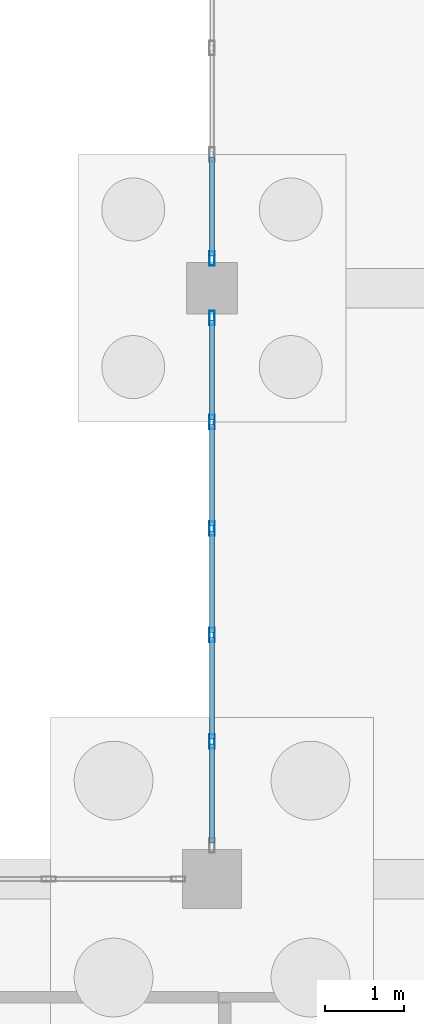
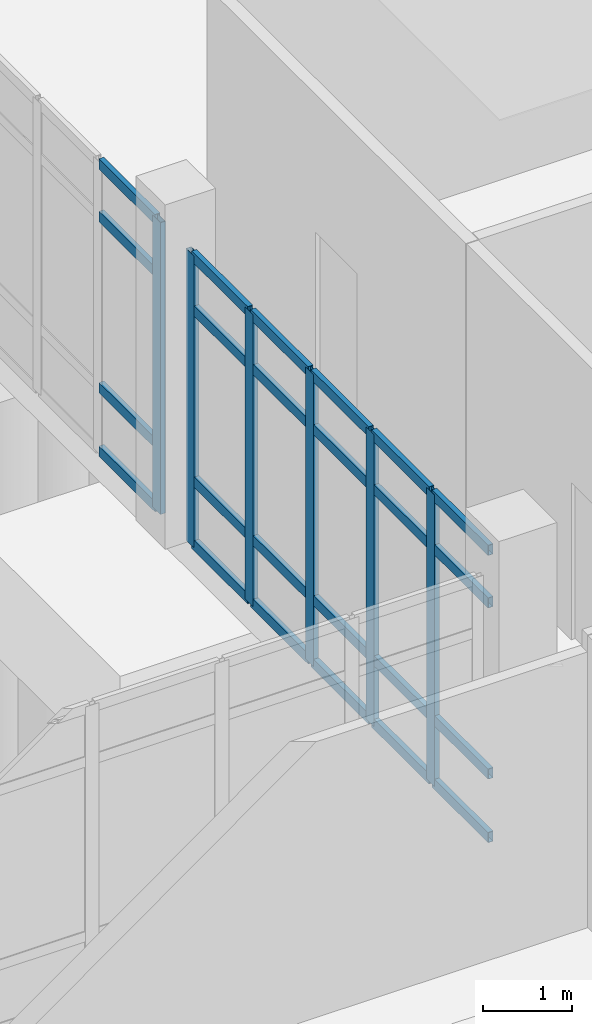
# One storey, part 30 of 173: 30 members, 2 elements without a shape of their own.
"""IFC4 building model written with IfcOpenShell, lengths in metres."""

import ifcopenshell
import ifcopenshell.guid

model = None  # the IFC model being written
_history = None  # IfcOwnerHistory: only IFC2X3 demands one
_inside = {}  # id of a spatial element -> (the spatial element, [elements in it])
_under = {}  # id of a project, library or spatial element -> (it, [spatial elements below it])
_declared = {}  # id of a project -> (the project, [libraries it declares])
_typed = {}  # id of a type object -> (the type object, [elements of that type])
_made_of = {}  # id of a material, layer set ... -> (it, [elements and type objects made of it])


def new_model(schema):
    """Start an empty IFC model of exactly this schema.

    Asked for "IFC4X3", IfcOpenShell would pick the latest addendum, in which some entities
    have other attributes; the version numbers below select the first issue.
    IFC2X3 requires an IfcOwnerHistory on every rooted entity: one is made here for all.
    """
    global model, _history
    if schema == "IFC4X3":
        model = ifcopenshell.file(schema_version=(4, 3, 0, 0))
    else:
        model = ifcopenshell.file(schema=schema)
    _inside.clear()
    _under.clear()
    _declared.clear()
    _typed.clear()
    _made_of.clear()
    _history = None
    if model.schema == "IFC2X3":
        org = make("IfcOrganization", Name="unknown")
        user = make(
            "IfcPersonAndOrganization",
            ThePerson=make("IfcPerson", FamilyName="unknown"),
            TheOrganization=org,
        )
        app = make(
            "IfcApplication",
            ApplicationDeveloper=org,
            Version="unknown",
            ApplicationFullName="unknown",
            ApplicationIdentifier="unknown",
        )
        _history = make(
            "IfcOwnerHistory",
            OwningUser=user,
            OwningApplication=app,
            ChangeAction="ADDED",
            CreationDate=0,
        )
    return model


def make(cls, **values):
    """One entity of the class cls with the attributes given. An attribute that is None is left unset."""
    return model.create_entity(
        cls, **{name: value for name, value in values.items() if value is not None}
    )


def rooted(cls, **values):
    """An entity with a GlobalId (a new one), such as an element, a storey or a relation."""
    return make(cls, GlobalId=ifcopenshell.guid.new(), OwnerHistory=_history, **values)


def si_unit(unit_type, name, prefix=None):
    """IfcSIUnit, for example si_unit("LENGTHUNIT", "METRE", prefix="MILLI")."""
    return make("IfcSIUnit", UnitType=unit_type, Prefix=prefix, Name=name)


def assignment(units):
    """IfcUnitAssignment: the units of a project."""
    return None if units is None else make("IfcUnitAssignment", Units=units)


def point(xyz):
    """IfcCartesianPoint."""
    return None if xyz is None else make("IfcCartesianPoint", Coordinates=xyz)


def direction(xyz):
    """IfcDirection."""
    return None if xyz is None else make("IfcDirection", DirectionRatios=xyz)


def frame(location, z_axis=None, x_axis=None):
    """IfcAxis2Placement3D, a coordinate frame: its origin and axes. An axis left out is left unset."""
    return make(
        "IfcAxis2Placement3D",
        Location=point(location),
        Axis=direction(z_axis),
        RefDirection=direction(x_axis),
    )


def frame_2d(location, x_axis=None):
    """IfcAxis2Placement2D, a coordinate frame in the plane: its origin and x axis."""
    return make(
        "IfcAxis2Placement2D", Location=point(location), RefDirection=direction(x_axis)
    )


def origin():
    """The frame at (0, 0, 0) with its axes left unset."""
    return frame((0.0, 0.0, 0.0))


def origin_2d():
    """The frame at (0, 0) in the plane with its x axis left unset."""
    return frame_2d((0.0, 0.0))


def place(relative_to, where):
    """IfcLocalPlacement: puts the frame where relative to a parent placement (None: the world)."""
    return make(
        "IfcLocalPlacement", PlacementRelTo=relative_to, RelativePlacement=where
    )


def context(
    kind, dimensions, precision=None, world=None, true_north=None, identifier=None
):
    """IfcGeometricRepresentationContext, for example the 3D "Model" context."""
    return make(
        "IfcGeometricRepresentationContext",
        ContextIdentifier=identifier,
        ContextType=kind,
        CoordinateSpaceDimension=dimensions,
        Precision=precision,
        WorldCoordinateSystem=world,
        TrueNorth=true_north,
    )


def subcontext(parent, identifier, kind, view, scale=None):
    """IfcGeometricRepresentationSubContext, for example "Body" below "Model"."""
    return make(
        "IfcGeometricRepresentationSubContext",
        ContextIdentifier=identifier,
        ContextType=kind,
        ParentContext=parent,
        TargetScale=scale,
        TargetView=view,
    )


def project(units=None, contexts=None):
    """IfcProject with its units and contexts."""
    return rooted(
        "IfcProject",
        Name="project",
        RepresentationContexts=contexts,
        UnitsInContext=assignment(units),
    )


def spatial(cls, under=None, at=None, **own):
    """A site, building, storey or space (cls), placed at a placement, below another one or the project."""
    s = rooted(cls, ObjectPlacement=at, **own)
    if under is not None:
        _under.setdefault(under.id(), (under, []))[1].append(s)
    return s


def profile(cls, at=None, kind="AREA", **sizes):
    """A parametric profile (cls). Its sizes go by their IFC names, for example OverallWidth=200.0."""
    return make(cls, ProfileType=kind, Position=at, **sizes)


def hollow_rectangle(**sizes):
    """IfcRectangleHollowProfileDef."""
    return profile("IfcRectangleHollowProfileDef", **sizes)


def extrude(swept, where, along, depth):
    """IfcExtrudedAreaSolid: the profile swept, set in the frame where, extruded along a direction by depth."""
    return make(
        "IfcExtrudedAreaSolid",
        SweptArea=swept,
        Position=where,
        ExtrudedDirection=direction(along),
        Depth=depth,
    )


def shape(context_of_items, identifier, shape_type, items):
    """IfcShapeRepresentation: the items that make up one representation, for example the "Body"."""
    return make(
        "IfcShapeRepresentation",
        ContextOfItems=context_of_items,
        RepresentationIdentifier=identifier,
        RepresentationType=shape_type,
        Items=items,
    )


def material(Name=None, Category=None):
    """IfcMaterial."""
    return make("IfcMaterial", Name=Name, Category=Category)


def layer(
    of_material, thickness, ventilated=None, Name=None, Category=None, Priority=None
):
    """IfcMaterialLayer: one layer of a wall or slab, of a material (None: an air gap)."""
    return make(
        "IfcMaterialLayer",
        Material=of_material,
        LayerThickness=thickness,
        IsVentilated=ventilated,
        Name=Name,
        Category=Category,
        Priority=Priority,
    )


def layer_set(layers, Name=None):
    """IfcMaterialLayerSet."""
    return make("IfcMaterialLayerSet", MaterialLayers=layers, LayerSetName=Name)


def material_profile(
    of_material, cross_section, Name=None, Category=None, Priority=None
):
    """IfcMaterialProfile: a cross section and its material."""
    return make(
        "IfcMaterialProfile",
        Name=Name,
        Material=of_material,
        Profile=cross_section,
        Priority=Priority,
        Category=Category,
    )


def profile_set(profiles, Name=None, composite=None):
    """IfcMaterialProfileSet."""
    return make(
        "IfcMaterialProfileSet",
        Name=Name,
        MaterialProfiles=profiles,
        CompositeProfile=composite,
    )


def made_of(thing, what):
    """Note that an element or type object is made of a material, layer set ...; save() writes the relation."""
    if what is not None:
        _made_of.setdefault(what.id(), (what, []))[1].append(thing)
    return thing


def type_object(cls, material=None, **own):
    """A type object (cls), such as IfcWallType, which elements share."""
    return made_of(rooted(cls, **own), material)


def element(
    cls,
    number,
    at=None,
    inside=None,
    cuts=None,
    type_object=None,
    material=None,
    context=None,
    identifier="Body",
    shape_type=None,
    held_by="IfcProductDefinitionShape",
    body=None,
    shapes=None,
    **own,
):
    """One element of the class cls, such as IfcWall. Its Tag is "e" and its number.

    at: its placement. inside: the storey or other place that contains it. cuts: it is an
    opening in that element (IfcRelVoidsElement). A single representation is given by context,
    identifier, shape_type and body (its items); several are given by shapes. held_by: the class
    of the entity that holds the representations. save() writes the other relations.
    """
    e = rooted(cls, Tag="e%d" % number, ObjectPlacement=at, **own)
    if body is not None:
        shapes = [shape(context, identifier, shape_type, body)]
    if shapes is not None:
        e.Representation = make(held_by, Representations=shapes)
    if inside is not None:
        _inside.setdefault(inside.id(), (inside, []))[1].append(e)
    if cuts is not None:
        rooted(
            "IfcRelVoidsElement", RelatingBuildingElement=cuts, RelatedOpeningElement=e
        )
    if type_object is not None:
        _typed.setdefault(type_object.id(), (type_object, []))[1].append(e)
    return made_of(e, material)


def aggregate(whole, parts):
    """IfcRelAggregates: a whole, such as a stair, and the parts it consists of."""
    return rooted("IfcRelAggregates", RelatingObject=whole, RelatedObjects=parts)


def save(model, path):
    """Write the relations noted so far, then the file.

    IfcRelAggregates (storeys below a building ...), IfcRelContainedInSpatialStructure (elements
    in a storey), IfcRelDefinesByType, IfcRelAssociatesMaterial and IfcRelDeclares: one each for
    every whole, place, type object, material and project.
    """
    for whole, parts in _under.values():
        aggregate(whole, parts)
    for where, things in _inside.values():
        rooted(
            "IfcRelContainedInSpatialStructure",
            RelatedElements=things,
            RelatingStructure=where,
        )
    for kind, things in _typed.values():
        rooted("IfcRelDefinesByType", RelatedObjects=things, RelatingType=kind)
    for what, things in _made_of.values():
        rooted("IfcRelAssociatesMaterial", RelatedObjects=things, RelatingMaterial=what)
    for by, libraries in _declared.values():
        rooted("IfcRelDeclares", RelatingContext=by, RelatedDefinitions=libraries)
    model.write(path)


model = new_model("IFC4")

# Units and contexts
model_context = context("Model", 3, precision=1e-05, world=origin(), true_north=direction((0.0, 1.0)))
body_context = subcontext(model_context, "Body", "Model", "MODEL_VIEW")
ifc_project = project(units=[si_unit("LENGTHUNIT", "METRE"), si_unit("AREAUNIT", "SQUARE_METRE"), si_unit("VOLUMEUNIT", "CUBIC_METRE"), si_unit("PLANEANGLEUNIT", "RADIAN"), si_unit("MASSUNIT", "GRAM", prefix="KILO")], contexts=[model_context])

# Site, building, storey
site_placement = place(None, origin())
site = spatial("IfcSite", under=ifc_project, at=site_placement, CompositionType="ELEMENT")
building_placement = place(site_placement, origin())
building = spatial("IfcBuilding", under=site, at=building_placement, Name="Mawjan Specialist Oncology Clinic", CompositionType="ELEMENT")
storey_placement = place(building_placement, origin())
storey = spatial("IfcBuildingStorey", under=building, at=storey_placement, Name="L00", CompositionType="ELEMENT", Elevation=0.0)

# Curtain wall, members
ifc_material_1 = material(Name="Unitised spectrally selective aluminium curtain wall", Category="aluminium")
ifc_layer = layer(ifc_material_1, 0.179931640625, Name="Unitised spectrally selective aluminium curtain wall", Category="aluminium")
ifc_layer_set = layer_set([ifc_layer], Name="Unitised spectrally selective aluminium curtain wall")
curtain_wall_type = type_object("IfcCurtainWallType", Name="CW-28", PredefinedType="NOTDEFINED", material=ifc_layer_set)
curtain_wall_1_placement = place(storey_placement, origin())
curtain_wall_1 = element("IfcCurtainWall", 1, at=curtain_wall_1_placement, inside=storey, type_object=curtain_wall_type, Name="L00 Unitised Curtain Wall CW-L00-050", PredefinedType="NOTDEFINED")
ifc_material_2 = material(Name="Thermally broken aluminium 6063-T6", Category="aluminium")
ifc_material_profile_1 = material_profile(ifc_material_2, hollow_rectangle(XDim=0.06494140625, YDim=0.179931640625, WallThickness=0.00390625, at=origin_2d()), Name="ALU MULLION 180x65x4", Category="aluminium")
ifc_profile_set_1 = profile_set([ifc_material_profile_1], Name="Thermally broken aluminium 6063-T6")
member_type_1 = type_object("IfcMemberType", Name="CW-M180", PredefinedType="MULLION", material=ifc_profile_set_1)
member_1_placement = place(storey_placement, frame((30.0, 17.547119140625, 0.0), z_axis=(0.0, 0.0, 1.0), x_axis=(-1.0, 0.0, 0.0)))
member_1 = element("IfcMember", 2, at=member_1_placement, type_object=member_type_1, Name="CW-28 mullion 2", PredefinedType="MULLION", context=body_context, shape_type="SweptSolid", body=[
    extrude(hollow_rectangle(XDim=0.06494140625, YDim=0.179931640625, WallThickness=0.00390625, at=origin_2d()), origin(), (0.0, 0.0, 1.0), 3.985107421875),
])
member_2_placement = place(storey_placement, frame((30.0, 18.89892578125, 0.0), z_axis=(0.0, 0.0, 1.0), x_axis=(-1.0, 0.0, 0.0)))
member_2 = element("IfcMember", 3, at=member_2_placement, type_object=member_type_1, Name="CW-28 mullion 3", PredefinedType="MULLION", context=body_context, shape_type="SweptSolid", body=[
    extrude(hollow_rectangle(XDim=0.06494140625, YDim=0.179931640625, WallThickness=0.00390625, at=origin_2d()), origin(), (0.0, 0.0, 1.0), 3.985107421875),
])
member_3_placement = place(storey_placement, frame((30.0, 20.2509765625, 0.0), z_axis=(0.0, 0.0, 1.0), x_axis=(-1.0, 0.0, 0.0)))
member_3 = element("IfcMember", 4, at=member_3_placement, type_object=member_type_1, Name="CW-28 mullion 4", PredefinedType="MULLION", context=body_context, shape_type="SweptSolid", body=[
    extrude(hollow_rectangle(XDim=0.06494140625, YDim=0.179931640625, WallThickness=0.00390625, at=origin_2d()), origin(), (0.0, 0.0, 1.0), 3.985107421875),
])
member_4_placement = place(storey_placement, frame((30.0, 21.60302734375, 0.0), z_axis=(0.0, 0.0, 1.0), x_axis=(-1.0, 0.0, 0.0)))
member_4 = element("IfcMember", 5, at=member_4_placement, type_object=member_type_1, Name="CW-28 mullion 5", PredefinedType="MULLION", context=body_context, shape_type="SweptSolid", body=[
    extrude(hollow_rectangle(XDim=0.06494140625, YDim=0.179931640625, WallThickness=0.00390625, at=origin_2d()), origin(), (0.0, 0.0, 1.0), 3.985107421875),
])
member_5_placement = place(storey_placement, frame((30.0, 22.922607421875, 0.0), z_axis=(0.0, 0.0, 1.0), x_axis=(-1.0, 0.0, 0.0)))
member_5 = element("IfcMember", 6, at=member_5_placement, type_object=member_type_1, Name="CW-28 mullion 6", PredefinedType="MULLION", context=body_context, shape_type="SweptSolid", body=[
    extrude(hollow_rectangle(XDim=0.06494140625, YDim=0.179931640625, WallThickness=0.00390625, at=origin_2d()), origin(), (0.0, 0.0, 1.0), 3.985107421875),
])

# Curtain wall, member
curtain_wall_2_placement = place(storey_placement, origin())
curtain_wall_2 = element("IfcCurtainWall", 7, at=curtain_wall_2_placement, inside=storey, type_object=curtain_wall_type, Name="L00 Unitised Curtain Wall CW-L00-051", PredefinedType="NOTDEFINED")
member_6_placement = place(storey_placement, frame((30.0, 23.677490234375, 0.0), z_axis=(0.0, 0.0, 1.0), x_axis=(-1.0, 0.0, 0.0)))
member_6 = element("IfcMember", 8, at=member_6_placement, type_object=member_type_1, Name="CW-28 mullion 1", PredefinedType="MULLION", context=body_context, shape_type="SweptSolid", body=[
    extrude(hollow_rectangle(XDim=0.06494140625, YDim=0.179931640625, WallThickness=0.00390625, at=origin_2d()), origin(), (0.0, 0.0, 1.0), 3.985107421875),
])

# Member
ifc_material_3 = material(Name="Thermally broken aluminium 6063-T6", Category="aluminium")
ifc_material_profile_2 = material_profile(ifc_material_3, hollow_rectangle(XDim=0.06494140625, YDim=0.139892578125, WallThickness=0.00390625, at=origin_2d()), Name="ALU TRANSOM 140x65x4", Category="aluminium")
ifc_profile_set_2 = profile_set([ifc_material_profile_2], Name="Thermally broken aluminium 6063-T6")
member_type_2 = type_object("IfcMemberType", Name="CW-T140", PredefinedType="USERDEFINED", material=ifc_profile_set_2)
member_7_placement = place(storey_placement, frame((30.0, 16.260009765625, 0.032470703125), z_axis=(0.0, 1.0, 0.0), x_axis=(-1.0, 0.0, 0.0)))
member_7 = element("IfcMember", 9, at=member_7_placement, type_object=member_type_2, Name="CW-28 transom 1.1", ObjectType="TRANSOM", PredefinedType="USERDEFINED", context=body_context, shape_type="SweptSolid", body=[
    extrude(hollow_rectangle(XDim=0.06494140625, YDim=0.139892578125, WallThickness=0.00390625, at=origin_2d()), origin(), (0.0, 0.0, 1.0), 1.25439453125),
])

member_8_placement = place(storey_placement, frame((30.0, 16.260009765625, 0.89990234375), z_axis=(0.0, 1.0, 0.0), x_axis=(-1.0, 0.0, 0.0)))
member_8 = element("IfcMember", 10, at=member_8_placement, type_object=member_type_2, Name="CW-28 transom 1.2", ObjectType="TRANSOM", PredefinedType="USERDEFINED", context=body_context, shape_type="SweptSolid", body=[
    extrude(hollow_rectangle(XDim=0.06494140625, YDim=0.139892578125, WallThickness=0.00390625, at=origin_2d()), origin(), (0.0, 0.0, 1.0), 1.25439453125),
])

member_9_placement = place(storey_placement, frame((30.0, 16.260009765625, 3.235107421875), z_axis=(0.0, 1.0, 0.0), x_axis=(-1.0, 0.0, 0.0)))
member_9 = element("IfcMember", 11, at=member_9_placement, type_object=member_type_2, Name="CW-28 transom 1.3", ObjectType="TRANSOM", PredefinedType="USERDEFINED", context=body_context, shape_type="SweptSolid", body=[
    extrude(hollow_rectangle(XDim=0.06494140625, YDim=0.139892578125, WallThickness=0.00390625, at=origin_2d()), origin(), (0.0, 0.0, 1.0), 1.25439453125),
])

member_10_placement = place(storey_placement, frame((30.0, 16.260009765625, 3.952392578125), z_axis=(0.0, 1.0, 0.0), x_axis=(-1.0, 0.0, 0.0)))
member_10 = element("IfcMember", 12, at=member_10_placement, type_object=member_type_2, Name="CW-28 transom 1.4", ObjectType="TRANSOM", PredefinedType="USERDEFINED", context=body_context, shape_type="SweptSolid", body=[
    extrude(hollow_rectangle(XDim=0.06494140625, YDim=0.139892578125, WallThickness=0.00390625, at=origin_2d()), origin(), (0.0, 0.0, 1.0), 1.25439453125),
])

member_11_placement = place(storey_placement, frame((30.0, 17.57958984375, 0.032470703125), z_axis=(0.0, 1.0, 0.0), x_axis=(-1.0, 0.0, 0.0)))
member_11 = element("IfcMember", 13, at=member_11_placement, type_object=member_type_2, Name="CW-28 transom 2.1", ObjectType="TRANSOM", PredefinedType="USERDEFINED", context=body_context, shape_type="SweptSolid", body=[
    extrude(hollow_rectangle(XDim=0.06494140625, YDim=0.139892578125, WallThickness=0.00390625, at=origin_2d()), origin(), (0.0, 0.0, 1.0), 1.286865234375),
])

member_12_placement = place(storey_placement, frame((30.0, 17.57958984375, 0.89990234375), z_axis=(0.0, 1.0, 0.0), x_axis=(-1.0, 0.0, 0.0)))
member_12 = element("IfcMember", 14, at=member_12_placement, type_object=member_type_2, Name="CW-28 transom 2.2", ObjectType="TRANSOM", PredefinedType="USERDEFINED", context=body_context, shape_type="SweptSolid", body=[
    extrude(hollow_rectangle(XDim=0.06494140625, YDim=0.139892578125, WallThickness=0.00390625, at=origin_2d()), origin(), (0.0, 0.0, 1.0), 1.286865234375),
])

member_13_placement = place(storey_placement, frame((30.0, 17.57958984375, 3.235107421875), z_axis=(0.0, 1.0, 0.0), x_axis=(-1.0, 0.0, 0.0)))
member_13 = element("IfcMember", 15, at=member_13_placement, type_object=member_type_2, Name="CW-28 transom 2.3", ObjectType="TRANSOM", PredefinedType="USERDEFINED", context=body_context, shape_type="SweptSolid", body=[
    extrude(hollow_rectangle(XDim=0.06494140625, YDim=0.139892578125, WallThickness=0.00390625, at=origin_2d()), origin(), (0.0, 0.0, 1.0), 1.286865234375),
])

member_14_placement = place(storey_placement, frame((30.0, 17.57958984375, 3.952392578125), z_axis=(0.0, 1.0, 0.0), x_axis=(-1.0, 0.0, 0.0)))
member_14 = element("IfcMember", 16, at=member_14_placement, type_object=member_type_2, Name="CW-28 transom 2.4", ObjectType="TRANSOM", PredefinedType="USERDEFINED", context=body_context, shape_type="SweptSolid", body=[
    extrude(hollow_rectangle(XDim=0.06494140625, YDim=0.139892578125, WallThickness=0.00390625, at=origin_2d()), origin(), (0.0, 0.0, 1.0), 1.286865234375),
])

member_15_placement = place(storey_placement, frame((30.0, 18.931396484375, 0.032470703125), z_axis=(0.0, 1.0, 0.0), x_axis=(-1.0, 0.0, 0.0)))
member_15 = element("IfcMember", 17, at=member_15_placement, type_object=member_type_2, Name="CW-28 transom 3.1", ObjectType="TRANSOM", PredefinedType="USERDEFINED", context=body_context, shape_type="SweptSolid", body=[
    extrude(hollow_rectangle(XDim=0.06494140625, YDim=0.139892578125, WallThickness=0.00390625, at=origin_2d()), origin(), (0.0, 0.0, 1.0), 1.287109375),
])

member_16_placement = place(storey_placement, frame((30.0, 18.931396484375, 0.89990234375), z_axis=(0.0, 1.0, 0.0), x_axis=(-1.0, 0.0, 0.0)))
member_16 = element("IfcMember", 18, at=member_16_placement, type_object=member_type_2, Name="CW-28 transom 3.2", ObjectType="TRANSOM", PredefinedType="USERDEFINED", context=body_context, shape_type="SweptSolid", body=[
    extrude(hollow_rectangle(XDim=0.06494140625, YDim=0.139892578125, WallThickness=0.00390625, at=origin_2d()), origin(), (0.0, 0.0, 1.0), 1.287109375),
])

member_17_placement = place(storey_placement, frame((30.0, 18.931396484375, 3.235107421875), z_axis=(0.0, 1.0, 0.0), x_axis=(-1.0, 0.0, 0.0)))
member_17 = element("IfcMember", 19, at=member_17_placement, type_object=member_type_2, Name="CW-28 transom 3.3", ObjectType="TRANSOM", PredefinedType="USERDEFINED", context=body_context, shape_type="SweptSolid", body=[
    extrude(hollow_rectangle(XDim=0.06494140625, YDim=0.139892578125, WallThickness=0.00390625, at=origin_2d()), origin(), (0.0, 0.0, 1.0), 1.287109375),
])

member_18_placement = place(storey_placement, frame((30.0, 18.931396484375, 3.952392578125), z_axis=(0.0, 1.0, 0.0), x_axis=(-1.0, 0.0, 0.0)))
member_18 = element("IfcMember", 20, at=member_18_placement, type_object=member_type_2, Name="CW-28 transom 3.4", ObjectType="TRANSOM", PredefinedType="USERDEFINED", context=body_context, shape_type="SweptSolid", body=[
    extrude(hollow_rectangle(XDim=0.06494140625, YDim=0.139892578125, WallThickness=0.00390625, at=origin_2d()), origin(), (0.0, 0.0, 1.0), 1.287109375),
])

member_19_placement = place(storey_placement, frame((30.0, 20.283447265625, 0.032470703125), z_axis=(0.0, 1.0, 0.0), x_axis=(-1.0, 0.0, 0.0)))
member_19 = element("IfcMember", 21, at=member_19_placement, type_object=member_type_2, Name="CW-28 transom 4.1", ObjectType="TRANSOM", PredefinedType="USERDEFINED", context=body_context, shape_type="SweptSolid", body=[
    extrude(hollow_rectangle(XDim=0.06494140625, YDim=0.139892578125, WallThickness=0.00390625, at=origin_2d()), origin(), (0.0, 0.0, 1.0), 1.287109375),
])

member_20_placement = place(storey_placement, frame((30.0, 20.283447265625, 0.89990234375), z_axis=(0.0, 1.0, 0.0), x_axis=(-1.0, 0.0, 0.0)))
member_20 = element("IfcMember", 22, at=member_20_placement, type_object=member_type_2, Name="CW-28 transom 4.2", ObjectType="TRANSOM", PredefinedType="USERDEFINED", context=body_context, shape_type="SweptSolid", body=[
    extrude(hollow_rectangle(XDim=0.06494140625, YDim=0.139892578125, WallThickness=0.00390625, at=origin_2d()), origin(), (0.0, 0.0, 1.0), 1.287109375),
])

member_21_placement = place(storey_placement, frame((30.0, 20.283447265625, 3.235107421875), z_axis=(0.0, 1.0, 0.0), x_axis=(-1.0, 0.0, 0.0)))
member_21 = element("IfcMember", 23, at=member_21_placement, type_object=member_type_2, Name="CW-28 transom 4.3", ObjectType="TRANSOM", PredefinedType="USERDEFINED", context=body_context, shape_type="SweptSolid", body=[
    extrude(hollow_rectangle(XDim=0.06494140625, YDim=0.139892578125, WallThickness=0.00390625, at=origin_2d()), origin(), (0.0, 0.0, 1.0), 1.287109375),
])

member_22_placement = place(storey_placement, frame((30.0, 20.283447265625, 3.952392578125), z_axis=(0.0, 1.0, 0.0), x_axis=(-1.0, 0.0, 0.0)))
member_22 = element("IfcMember", 24, at=member_22_placement, type_object=member_type_2, Name="CW-28 transom 4.4", ObjectType="TRANSOM", PredefinedType="USERDEFINED", context=body_context, shape_type="SweptSolid", body=[
    extrude(hollow_rectangle(XDim=0.06494140625, YDim=0.139892578125, WallThickness=0.00390625, at=origin_2d()), origin(), (0.0, 0.0, 1.0), 1.287109375),
])

member_23_placement = place(storey_placement, frame((30.0, 21.635498046875, 0.032470703125), z_axis=(0.0, 1.0, 0.0), x_axis=(-1.0, 0.0, 0.0)))
member_23 = element("IfcMember", 25, at=member_23_placement, type_object=member_type_2, Name="CW-28 transom 5.1", ObjectType="TRANSOM", PredefinedType="USERDEFINED", context=body_context, shape_type="SweptSolid", body=[
    extrude(hollow_rectangle(XDim=0.06494140625, YDim=0.139892578125, WallThickness=0.00390625, at=origin_2d()), origin(), (0.0, 0.0, 1.0), 1.25439453125),
])

member_24_placement = place(storey_placement, frame((30.0, 21.635498046875, 0.89990234375), z_axis=(0.0, 1.0, 0.0), x_axis=(-1.0, 0.0, 0.0)))
member_24 = element("IfcMember", 26, at=member_24_placement, type_object=member_type_2, Name="CW-28 transom 5.2", ObjectType="TRANSOM", PredefinedType="USERDEFINED", context=body_context, shape_type="SweptSolid", body=[
    extrude(hollow_rectangle(XDim=0.06494140625, YDim=0.139892578125, WallThickness=0.00390625, at=origin_2d()), origin(), (0.0, 0.0, 1.0), 1.25439453125),
])

member_25_placement = place(storey_placement, frame((30.0, 21.635498046875, 3.235107421875), z_axis=(0.0, 1.0, 0.0), x_axis=(-1.0, 0.0, 0.0)))
member_25 = element("IfcMember", 27, at=member_25_placement, type_object=member_type_2, Name="CW-28 transom 5.3", ObjectType="TRANSOM", PredefinedType="USERDEFINED", context=body_context, shape_type="SweptSolid", body=[
    extrude(hollow_rectangle(XDim=0.06494140625, YDim=0.139892578125, WallThickness=0.00390625, at=origin_2d()), origin(), (0.0, 0.0, 1.0), 1.25439453125),
])

member_26_placement = place(storey_placement, frame((30.0, 21.635498046875, 3.952392578125), z_axis=(0.0, 1.0, 0.0), x_axis=(-1.0, 0.0, 0.0)))
member_26 = element("IfcMember", 28, at=member_26_placement, type_object=member_type_2, Name="CW-28 transom 5.4", ObjectType="TRANSOM", PredefinedType="USERDEFINED", context=body_context, shape_type="SweptSolid", body=[
    extrude(hollow_rectangle(XDim=0.06494140625, YDim=0.139892578125, WallThickness=0.00390625, at=origin_2d()), origin(), (0.0, 0.0, 1.0), 1.25439453125),
])

aggregate(curtain_wall_1, [member_1, member_2, member_3, member_4, member_5, member_7, member_8, member_9, member_10, member_11, member_12, member_13, member_14, member_15, member_16, member_17, member_18, member_19, member_20, member_21, member_22, member_23, member_24, member_25, member_26])

member_27_placement = place(storey_placement, frame((30.0, 23.7099609375, 0.032470703125), z_axis=(0.0, 1.0, 0.0), x_axis=(-1.0, 0.0, 0.0)))
member_27 = element("IfcMember", 29, at=member_27_placement, type_object=member_type_2, Name="CW-28 transom 1.1", ObjectType="TRANSOM", PredefinedType="USERDEFINED", context=body_context, shape_type="SweptSolid", body=[
    extrude(hollow_rectangle(XDim=0.06494140625, YDim=0.139892578125, WallThickness=0.00390625, at=origin_2d()), origin(), (0.0, 0.0, 1.0), 1.254638671875),
])

member_28_placement = place(storey_placement, frame((30.0, 23.7099609375, 0.89990234375), z_axis=(0.0, 1.0, 0.0), x_axis=(-1.0, 0.0, 0.0)))
member_28 = element("IfcMember", 30, at=member_28_placement, type_object=member_type_2, Name="CW-28 transom 1.2", ObjectType="TRANSOM", PredefinedType="USERDEFINED", context=body_context, shape_type="SweptSolid", body=[
    extrude(hollow_rectangle(XDim=0.06494140625, YDim=0.139892578125, WallThickness=0.00390625, at=origin_2d()), origin(), (0.0, 0.0, 1.0), 1.254638671875),
])

member_29_placement = place(storey_placement, frame((30.0, 23.7099609375, 3.235107421875), z_axis=(0.0, 1.0, 0.0), x_axis=(-1.0, 0.0, 0.0)))
member_29 = element("IfcMember", 31, at=member_29_placement, type_object=member_type_2, Name="CW-28 transom 1.3", ObjectType="TRANSOM", PredefinedType="USERDEFINED", context=body_context, shape_type="SweptSolid", body=[
    extrude(hollow_rectangle(XDim=0.06494140625, YDim=0.139892578125, WallThickness=0.00390625, at=origin_2d()), origin(), (0.0, 0.0, 1.0), 1.254638671875),
])

member_30_placement = place(storey_placement, frame((30.0, 23.7099609375, 3.952392578125), z_axis=(0.0, 1.0, 0.0), x_axis=(-1.0, 0.0, 0.0)))
member_30 = element("IfcMember", 32, at=member_30_placement, type_object=member_type_2, Name="CW-28 transom 1.4", ObjectType="TRANSOM", PredefinedType="USERDEFINED", context=body_context, shape_type="SweptSolid", body=[
    extrude(hollow_rectangle(XDim=0.06494140625, YDim=0.139892578125, WallThickness=0.00390625, at=origin_2d()), origin(), (0.0, 0.0, 1.0), 1.254638671875),
])

aggregate(curtain_wall_2, [member_6, member_27, member_28, member_29, member_30])

save(model, "model.ifc")
